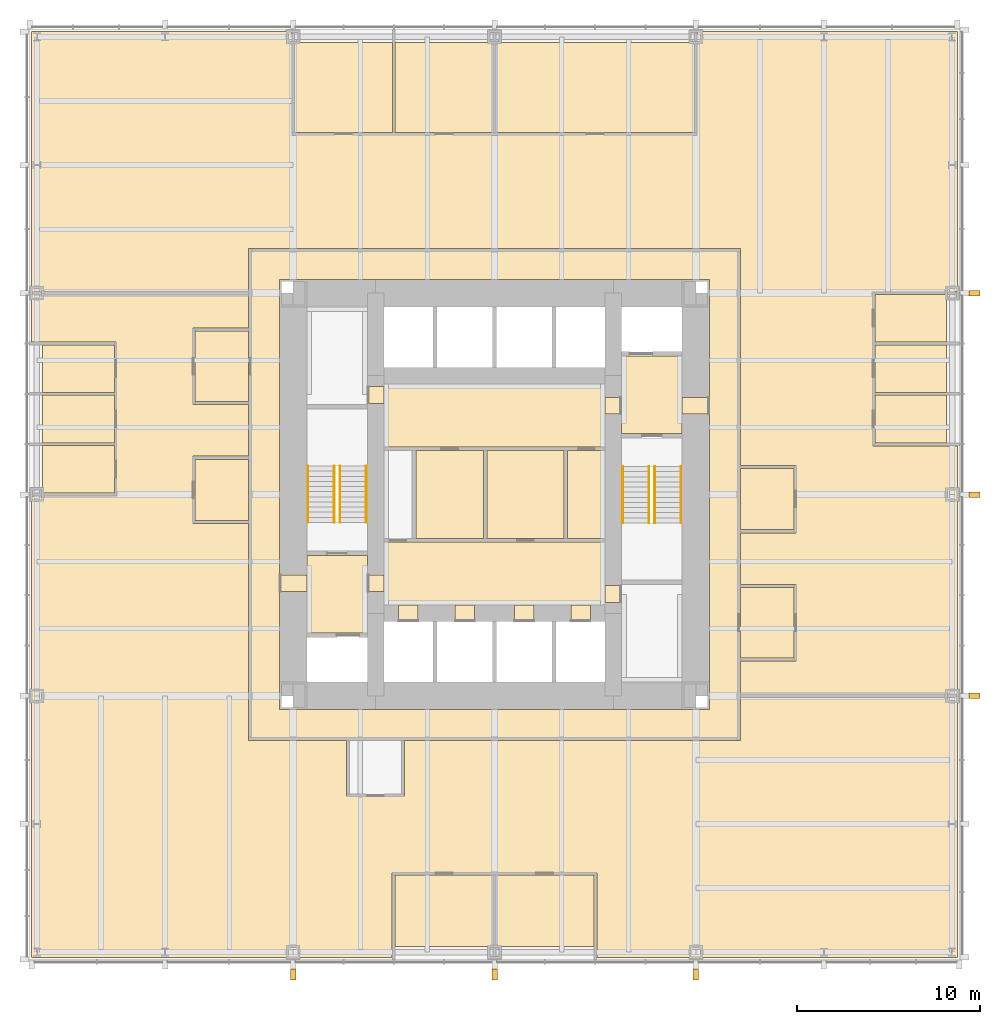
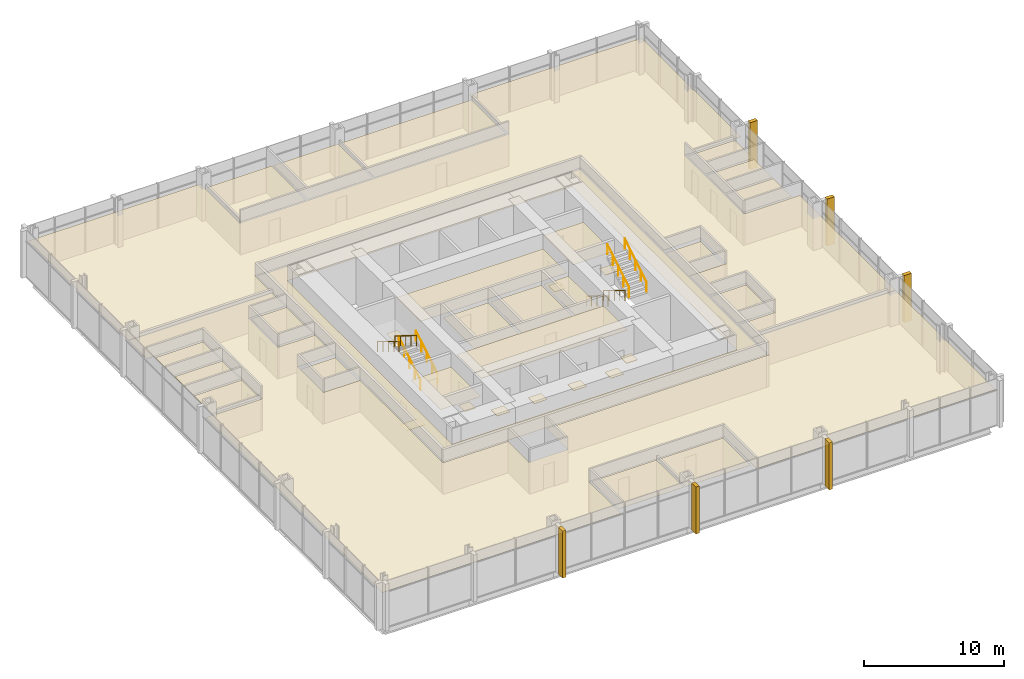
# One storey, part 12 of 12: 41 coverings, 8 railings.
"""IFC4 building model written with IfcOpenShell, lengths in metres."""

from ifc_helpers import new_model, si_unit, direction, frame, origin, origin_2d, place, context, subcontext, project, spatial, polyline, rectangle, circle, outline, extrude, material, layer, layer_set, type_object, element, save


model = new_model("IFC4")

# Units and contexts
model_context = context("Model", 3, precision=1e-05, world=origin(), true_north=direction((0.0, 1.0)))
body_context = subcontext(model_context, "Body", "Model", "MODEL_VIEW")
ifc_project = project(units=[si_unit("LENGTHUNIT", "METRE"), si_unit("AREAUNIT", "SQUARE_METRE"), si_unit("VOLUMEUNIT", "CUBIC_METRE"), si_unit("PLANEANGLEUNIT", "RADIAN"), si_unit("MASSUNIT", "GRAM", prefix="KILO")], contexts=[model_context])

# Site, building, storey
site_placement = place(None, origin())
site = spatial("IfcSite", under=ifc_project, at=site_placement, CompositionType="ELEMENT")
building_placement = place(site_placement, origin())
building = spatial("IfcBuilding", under=site, at=building_placement, Name="Trevanion Tower", CompositionType="ELEMENT")
storey_placement = place(building_placement, frame((0.0, 0.0, 57.0)))
storey = spatial("IfcBuildingStorey", under=building, at=storey_placement, Name="L13", CompositionType="ELEMENT", Elevation=57.0)

# Coverings
ifc_material_1 = material(Name="Fibrous plaster coffers on suspended steel grid", Category="steel")
ifc_layer_1 = layer(ifc_material_1, 0.050048828125)
ifc_layer_set_1 = layer_set([ifc_layer_1], Name="CL1 coffered fibrous plaster ceiling 50")
covering_type_1 = type_object("IfcCoveringType", Name="CL1 coffered fibrous plaster ceiling 50", PredefinedType="CEILING", material=ifc_layer_set_1)
covering_1_placement = place(storey_placement, frame((0.0, 0.0, 3.0)))
element("IfcCovering", 1, at=covering_1_placement, inside=storey, type_object=covering_type_1, Name="CL1 L13-LBS", PredefinedType="CEILING", context=body_context, shape_type="SweptSolid", body=[
    extrude(outline(polyline([(6.050048828125, -6.050048828125), (6.050048828125, -2.60009765625), (-6.050048828125, -2.60009765625), (-6.050048828125, -6.050048828125), (6.050048828125, -6.050048828125)])), origin(), (0.0, 0.0, 1.0), 0.050048828125),
])
ifc_material_2 = material(Name="Mineral fibre acoustic tiles in exposed grid", Category="mineral fibre")
ifc_layer_2 = layer(ifc_material_2, 0.02001953125)
ifc_layer_set_2 = layer_set([ifc_layer_2], Name="CL2 acoustic tile ceiling 20")
covering_type_2 = type_object("IfcCoveringType", Name="CL2 acoustic tile ceiling 20", PredefinedType="CEILING", material=ifc_layer_set_2)
covering_2_placement = place(storey_placement, frame((0.0, 0.0, 2.75)))
element("IfcCovering", 2, at=covering_2_placement, inside=storey, type_object=covering_type_2, Name="CL2 L13-LBN", PredefinedType="CEILING", context=body_context, shape_type="SweptSolid", body=[
    extrude(outline(polyline([(6.050048828125, 2.60009765625), (6.050048828125, 6.050048828125), (-6.050048828125, 6.050048828125), (-6.050048828125, 2.60009765625), (6.050048828125, 2.60009765625)])), origin(), (0.0, 0.0, 1.0), 0.02001953125),
])
covering_3_placement = place(storey_placement, frame((0.0, 0.0, 2.75)))
element("IfcCovering", 3, at=covering_3_placement, inside=storey, type_object=covering_type_2, Name="CL2 L13-CO", PredefinedType="CEILING", context=body_context, shape_type="SweptSolid", body=[
    extrude(outline(polyline([(-13.35009765625, 13.35009765625), (13.35009765625, 13.35009765625), (13.35009765625, -13.35009765625), (-13.35009765625, -13.35009765625), (-13.35009765625, 13.35009765625)]), holes=[polyline([(-11.75, 11.75), (-11.75, -11.75), (11.75, -11.75), (11.75, 11.75), (-11.75, 11.75)])]), origin(), (0.0, 0.0, 1.0), 0.02001953125),
])
covering_4_placement = place(storey_placement, frame((0.0, 0.0, 2.75)))
element("IfcCovering", 4, at=covering_4_placement, inside=storey, type_object=covering_type_2, Name="CL2 L13-BR", PredefinedType="CEILING", context=body_context, shape_type="SweptSolid", body=[
    extrude(outline(polyline([(10.925048828125, 19.77490234375), (0.074951171875, 19.77490234375), (0.074951171875, 24.699951171875), (10.925048828125, 24.699951171875), (10.925048828125, 19.77490234375)])), origin(), (0.0, 0.0, 1.0), 0.02001953125),
])
covering_5_placement = place(storey_placement, frame((0.0, 0.0, 2.75)))
element("IfcCovering", 5, at=covering_5_placement, inside=storey, type_object=covering_type_2, Name="CL2 L13-MR", PredefinedType="CEILING", context=body_context, shape_type="SweptSolid", body=[
    extrude(outline(polyline([(-0.074951171875, 19.77490234375), (-5.425048828125, 19.77490234375), (-5.425048828125, 24.699951171875), (-0.074951171875, 24.699951171875), (-0.074951171875, 19.77490234375)])), origin(), (0.0, 0.0, 1.0), 0.02001953125),
])
covering_6_placement = place(storey_placement, frame((0.0, 0.0, 2.75)))
element("IfcCovering", 6, at=covering_6_placement, inside=storey, type_object=covering_type_2, Name="CL2 L13-MR2", PredefinedType="CEILING", context=body_context, shape_type="SweptSolid", body=[
    extrude(outline(polyline([(-5.574951171875, 19.77490234375), (-10.925048828125, 19.77490234375), (-10.925048828125, 24.699951171875), (-5.574951171875, 24.699951171875), (-5.574951171875, 19.77490234375)])), origin(), (0.0, 0.0, 1.0), 0.02001953125),
])
covering_7_placement = place(storey_placement, frame((0.0, 0.0, 2.75)))
element("IfcCovering", 7, at=covering_7_placement, inside=storey, type_object=covering_type_2, Name="CL2 L13-MR3", PredefinedType="CEILING", context=body_context, shape_type="SweptSolid", body=[
    extrude(outline(polyline([(-5.425048828125, -20.77490234375), (-0.074951171875, -20.77490234375), (-0.074951171875, -24.699951171875), (-5.425048828125, -24.699951171875), (-5.425048828125, -20.77490234375)])), origin(), (0.0, 0.0, 1.0), 0.02001953125),
])
covering_8_placement = place(storey_placement, frame((0.0, 0.0, 2.75)))
element("IfcCovering", 8, at=covering_8_placement, inside=storey, type_object=covering_type_2, Name="CL2 L13-MR4", PredefinedType="CEILING", context=body_context, shape_type="SweptSolid", body=[
    extrude(outline(polyline([(0.074951171875, -20.77490234375), (5.425048828125, -20.77490234375), (5.425048828125, -24.699951171875), (0.074951171875, -24.699951171875), (0.074951171875, -20.77490234375)])), origin(), (0.0, 0.0, 1.0), 0.02001953125),
])
covering_9_placement = place(storey_placement, frame((0.0, 0.0, 2.75)))
element("IfcCovering", 9, at=covering_9_placement, inside=storey, type_object=covering_type_2, Name="CL2 L13-OF", PredefinedType="CEILING", context=body_context, shape_type="SweptSolid", body=[
    extrude(outline(polyline([(20.77490234375, 2.824951171875), (20.77490234375, 5.425048828125), (24.699951171875, 5.425048828125), (24.699951171875, 2.824951171875), (20.77490234375, 2.824951171875)])), origin(), (0.0, 0.0, 1.0), 0.02001953125),
])
covering_10_placement = place(storey_placement, frame((0.0, 0.0, 2.75)))
element("IfcCovering", 10, at=covering_10_placement, inside=storey, type_object=covering_type_2, Name="CL2 L13-OF2", PredefinedType="CEILING", context=body_context, shape_type="SweptSolid", body=[
    extrude(outline(polyline([(20.77490234375, 5.574951171875), (20.77490234375, 8.175048828125), (24.699951171875, 8.175048828125), (24.699951171875, 5.574951171875), (20.77490234375, 5.574951171875)])), origin(), (0.0, 0.0, 1.0), 0.02001953125),
])
covering_11_placement = place(storey_placement, frame((0.0, 0.0, 2.75)))
element("IfcCovering", 11, at=covering_11_placement, inside=storey, type_object=covering_type_2, Name="CL2 L13-OF3", PredefinedType="CEILING", context=body_context, shape_type="SweptSolid", body=[
    extrude(outline(polyline([(20.77490234375, 8.324951171875), (20.77490234375, 10.925048828125), (24.699951171875, 10.925048828125), (24.699951171875, 8.324951171875), (20.77490234375, 8.324951171875)])), origin(), (0.0, 0.0, 1.0), 0.02001953125),
])
covering_12_placement = place(storey_placement, frame((0.0, 0.0, 2.75)))
element("IfcCovering", 12, at=covering_12_placement, inside=storey, type_object=covering_type_2, Name="CL2 L13-OF4", PredefinedType="CEILING", context=body_context, shape_type="SweptSolid", body=[
    extrude(outline(polyline([(-20.77490234375, 8.175048828125), (-20.77490234375, 5.574951171875), (-24.699951171875, 5.574951171875), (-24.699951171875, 8.175048828125), (-20.77490234375, 8.175048828125)])), origin(), (0.0, 0.0, 1.0), 0.02001953125),
])
covering_13_placement = place(storey_placement, frame((0.0, 0.0, 2.75)))
element("IfcCovering", 13, at=covering_13_placement, inside=storey, type_object=covering_type_2, Name="CL2 L13-OF5", PredefinedType="CEILING", context=body_context, shape_type="SweptSolid", body=[
    extrude(outline(polyline([(-20.77490234375, 5.425048828125), (-20.77490234375, 2.824951171875), (-24.699951171875, 2.824951171875), (-24.699951171875, 5.425048828125), (-20.77490234375, 5.425048828125)])), origin(), (0.0, 0.0, 1.0), 0.02001953125),
])
covering_14_placement = place(storey_placement, frame((0.0, 0.0, 2.75)))
element("IfcCovering", 14, at=covering_14_placement, inside=storey, type_object=covering_type_2, Name="CL2 L13-OF6", PredefinedType="CEILING", context=body_context, shape_type="SweptSolid", body=[
    extrude(outline(polyline([(-20.77490234375, 2.675048828125), (-20.77490234375, 0.074951171875), (-24.699951171875, 0.074951171875), (-24.699951171875, 2.675048828125), (-20.77490234375, 2.675048828125)])), origin(), (0.0, 0.0, 1.0), 0.02001953125),
])
covering_15_placement = place(storey_placement, frame((0.0, 0.0, 2.75)))
element("IfcCovering", 15, at=covering_15_placement, inside=storey, type_object=covering_type_2, Name="CL2 L13-RC", PredefinedType="CEILING", context=body_context, shape_type="SweptSolid", body=[
    extrude(outline(polyline([(13.449951171875, -8.925048828125), (13.449951171875, -5.074951171875), (16.375, -5.074951171875), (16.375, -8.925048828125), (13.449951171875, -8.925048828125)])), origin(), (0.0, 0.0, 1.0), 0.02001953125),
])
covering_16_placement = place(storey_placement, frame((0.0, 0.0, 2.75)))
element("IfcCovering", 16, at=covering_16_placement, inside=storey, type_object=covering_type_2, Name="CL2 L13-RC2", PredefinedType="CEILING", context=body_context, shape_type="SweptSolid", body=[
    extrude(outline(polyline([(-13.449951171875, 8.925048828125), (-13.449951171875, 5.074951171875), (-16.375, 5.074951171875), (-16.375, 8.925048828125), (-13.449951171875, 8.925048828125)])), origin(), (0.0, 0.0, 1.0), 0.02001953125),
])
covering_17_placement = place(storey_placement, frame((0.0, 0.0, 2.75)))
element("IfcCovering", 17, at=covering_17_placement, inside=storey, type_object=covering_type_2, Name="CL2 L13-OP", PredefinedType="CEILING", context=body_context, shape_type="SweptSolid", body=[
    extrude(outline(polyline([(13.449951171875, 13.449951171875), (-13.449951171875, 13.449951171875), (-13.449951171875, 11.0), (-25.300048828125, 11.0), (-25.300048828125, 25.300048828125), (-11.094970703125, 25.300048828125), (-11.094970703125, 19.679931640625), (11.094970703125, 19.679931640625), (11.094970703125, 25.300048828125), (25.300048828125, 25.300048828125), (25.300048828125, 11.094970703125), (20.679931640625, 11.094970703125), (20.679931640625, 2.655029296875), (25.300048828125, 2.655029296875), (25.300048828125, -11.0), (13.449951171875, -11.0), (13.449951171875, -9.094970703125), (16.469970703125, -9.094970703125), (16.469970703125, -4.905029296875), (13.449951171875, -4.905029296875), (13.449951171875, -2.094970703125), (16.469970703125, -2.094970703125), (16.469970703125, 1.594970703125), (13.449951171875, 1.594970703125), (13.449951171875, 13.449951171875)])), origin(), (0.0, 0.0, 1.0), 0.02001953125),
])
covering_18_placement = place(storey_placement, frame((0.0, 0.0, 2.75)))
element("IfcCovering", 18, at=covering_18_placement, inside=storey, type_object=covering_type_2, Name="CL2 L13-OP2", PredefinedType="CEILING", context=body_context, shape_type="SweptSolid", body=[
    extrude(outline(polyline([(13.449951171875, -11.0), (25.300048828125, -11.0), (25.300048828125, -25.300048828125), (5.594970703125, -25.300048828125), (5.594970703125, -20.679931640625), (-5.594970703125, -20.679931640625), (-5.594970703125, -25.300048828125), (-25.300048828125, -25.300048828125), (-25.300048828125, -0.094970703125), (-20.679931640625, -0.094970703125), (-20.679931640625, 8.344970703125), (-25.300048828125, 8.344970703125), (-25.300048828125, 11.0), (-13.449951171875, 11.0), (-13.449951171875, 9.094970703125), (-16.469970703125, 9.094970703125), (-16.469970703125, 4.905029296875), (-13.449951171875, 4.905029296875), (-13.449951171875, 2.094970703125), (-16.469970703125, 2.094970703125), (-16.469970703125, -1.594970703125), (-13.449951171875, -1.594970703125), (-13.449951171875, -13.449951171875), (-8.094970703125, -13.449951171875), (-8.094970703125, -16.469970703125), (-4.905029296875, -16.469970703125), (-4.905029296875, -13.449951171875), (13.449951171875, -13.449951171875), (13.449951171875, -11.0)])), origin(), (0.0, 0.0, 1.0), 0.02001953125),
])
ifc_material_3 = material(Name="Gypsum plasterboard on suspended metal furring", Category="gypsum")
ifc_layer_3 = layer(ifc_material_3, 0.012939453125)
ifc_layer_set_3 = layer_set([ifc_layer_3], Name="CL3 plasterboard ceiling 13")
covering_type_3 = type_object("IfcCoveringType", Name="CL3 plasterboard ceiling 13", PredefinedType="CEILING", material=ifc_layer_set_3)
covering_19_placement = place(storey_placement, frame((0.0, 0.0, 2.699951171875)))
element("IfcCovering", 19, at=covering_19_placement, inside=storey, type_object=covering_type_3, Name="CL3 L13-FV1", PredefinedType="CEILING", context=body_context, shape_type="SweptSolid", body=[
    extrude(outline(polyline([(10.25, 3.324951171875), (10.25, 7.574951171875), (6.949951171875, 7.574951171875), (6.949951171875, 3.324951171875), (10.25, 3.324951171875)])), origin(), (0.0, 0.0, 1.0), 0.012939453125),
])
covering_20_placement = place(storey_placement, frame((0.0, 0.0, 2.699951171875)))
element("IfcCovering", 20, at=covering_20_placement, inside=storey, type_object=covering_type_3, Name="CL3 L13-FV2", PredefinedType="CEILING", context=body_context, shape_type="SweptSolid", body=[
    extrude(outline(polyline([(-10.25, -3.324951171875), (-10.25, -7.574951171875), (-6.949951171875, -7.574951171875), (-6.949951171875, -3.324951171875), (-10.25, -3.324951171875)])), origin(), (0.0, 0.0, 1.0), 0.012939453125),
])
ifc_material_4 = material(Name="Moisture-resistant gypsum board on suspended metal furring", Category="gypsum")
ifc_layer_4 = layer(ifc_material_4, 0.01611328125)
ifc_layer_set_4 = layer_set([ifc_layer_4], Name="CL4 moisture-resistant board ceiling 16")
covering_type_4 = type_object("IfcCoveringType", Name="CL4 moisture-resistant board ceiling 16", PredefinedType="CEILING", material=ifc_layer_set_4)
covering_21_placement = place(storey_placement, frame((0.0, 0.0, 2.60009765625)))
element("IfcCovering", 21, at=covering_21_placement, inside=storey, type_object=covering_type_4, Name="CL4 L13-WCM", PredefinedType="CEILING", context=body_context, shape_type="SweptSolid", body=[
    extrude(outline(polyline([(-0.60009765625, -2.39990234375), (-0.60009765625, 2.39990234375), (-4.300048828125, 2.39990234375), (-4.300048828125, -2.39990234375), (-0.60009765625, -2.39990234375)])), origin(), (0.0, 0.0, 1.0), 0.015869140625),
])
covering_22_placement = place(storey_placement, frame((0.0, 0.0, 2.60009765625)))
element("IfcCovering", 22, at=covering_22_placement, inside=storey, type_object=covering_type_4, Name="CL4 L13-WCF", PredefinedType="CEILING", context=body_context, shape_type="SweptSolid", body=[
    extrude(outline(polyline([(3.800048828125, -2.39990234375), (3.800048828125, 2.39990234375), (-0.39990234375, 2.39990234375), (-0.39990234375, -2.39990234375), (3.800048828125, -2.39990234375)])), origin(), (0.0, 0.0, 1.0), 0.015869140625),
])
covering_23_placement = place(storey_placement, frame((0.0, 0.0, 2.60009765625)))
element("IfcCovering", 23, at=covering_23_placement, inside=storey, type_object=covering_type_4, Name="CL4 L13-WCA", PredefinedType="CEILING", context=body_context, shape_type="SweptSolid", body=[
    extrude(outline(polyline([(6.050048828125, -2.39990234375), (6.050048828125, 2.39990234375), (4.0, 2.39990234375), (4.0, -2.39990234375), (6.050048828125, -2.39990234375)])), origin(), (0.0, 0.0, 1.0), 0.015869140625),
])
covering_24_placement = place(storey_placement, frame((0.0, 0.0, 2.60009765625)))
element("IfcCovering", 24, at=covering_24_placement, inside=storey, type_object=covering_type_4, Name="CL4 L13-PA", PredefinedType="CEILING", context=body_context, shape_type="SweptSolid", body=[
    extrude(outline(polyline([(13.449951171875, -1.925048828125), (13.449951171875, 1.425048828125), (16.375, 1.425048828125), (16.375, -1.925048828125), (13.449951171875, -1.925048828125)])), origin(), (0.0, 0.0, 1.0), 0.015869140625),
])
covering_25_placement = place(storey_placement, frame((0.0, 0.0, 2.60009765625)))
element("IfcCovering", 25, at=covering_25_placement, inside=storey, type_object=covering_type_4, Name="CL4 L13-PA2", PredefinedType="CEILING", context=body_context, shape_type="SweptSolid", body=[
    extrude(outline(polyline([(-13.449951171875, 1.925048828125), (-13.449951171875, -1.425048828125), (-16.375, -1.425048828125), (-16.375, 1.925048828125), (-13.449951171875, 1.925048828125)])), origin(), (0.0, 0.0, 1.0), 0.015869140625),
])
ifc_material_5 = material(Name="Cast bronze fin on aluminium carrier", Category="aluminium")
covering_type_5 = type_object("IfcCoveringType", Name="F1 bronze fin", PredefinedType="CLADDING", material=ifc_material_5)
for number, where, z_axis, x_axis, name in (
    (26, (26.22509765625, -11.0, -0.18994140625), (0.0, 0.0, 1.0), (0.0, 1.0, 0.0), "F1 L13 east -11.0"),
    (27, (26.22509765625, 0.0, -0.18994140625), (0.0, 0.0, 1.0), (0.0, 1.0, 0.0), "F1 L13 east +0.0"),
    (28, (26.22509765625, 11.0, -0.18994140625), (0.0, 0.0, 1.0), (0.0, 1.0, 0.0), "F1 L13 east +11.0"),
    (29, (-11.0, -26.22509765625, -0.18994140625), (0.0, 0.0, 1.0), (1.0, 0.0, 0.0), "F1 L13 south -11.0"),
    (30, (0.0, -26.22509765625, -0.18994140625), (0.0, 0.0, 1.0), (1.0, 0.0, 0.0), "F1 L13 south +0.0"),
    (31, (11.0, -26.22509765625, -0.18994140625), (0.0, 0.0, 1.0), (1.0, 0.0, 0.0), "F1 L13 south +11.0"),
):
    element("IfcCovering", number, at=place(storey_placement, frame(where, z_axis=z_axis, x_axis=x_axis)), inside=storey, type_object=covering_type_5, Name=name, PredefinedType="CLADDING", context=body_context, shape_type="SweptSolid", body=[
        extrude(rectangle(XDim=0.300048828125, YDim=0.60009765625, at=origin_2d()), origin(), (0.0, 0.0, 1.0), 4.10009765625),
    ])
ifc_material_6 = material(Name="Terrazzo, brass divider strips", Category="stone")
ifc_layer_5 = layer(ifc_material_6, 0.02001953125)
ifc_layer_set_5 = layer_set([ifc_layer_5], Name="FF1 terrazzo flooring")
covering_type_6 = type_object("IfcCoveringType", Name="FF1 terrazzo flooring", PredefinedType="FLOORING", material=ifc_layer_set_5)
covering_26_placement = place(storey_placement, origin())
element("IfcCovering", 32, at=covering_26_placement, inside=storey, type_object=covering_type_6, Name="FF1 threshold 13-001", PredefinedType="FLOORING", context=body_context, shape_type="SweptSolid", body=[
    extrude(outline(polyline([(11.75, 4.392578125), (11.75, 5.3076171875), (10.25, 5.3076171875), (10.25, 4.392578125), (11.75, 4.392578125)])), origin(), (0.0, 0.0, 1.0), 0.02001953125),
])
covering_27_placement = place(storey_placement, origin())
element("IfcCovering", 33, at=covering_27_placement, inside=storey, type_object=covering_type_6, Name="FF1 threshold 13-002", PredefinedType="FLOORING", context=body_context, shape_type="SweptSolid", body=[
    extrude(outline(polyline([(-11.75, -4.392578125), (-11.75, -5.3076171875), (-10.25, -5.3076171875), (-10.25, -4.392578125), (-11.75, -4.392578125)])), origin(), (0.0, 0.0, 1.0), 0.02001953125),
])
covering_28_placement = place(storey_placement, origin())
element("IfcCovering", 34, at=covering_28_placement, inside=storey, type_object=covering_type_6, Name="FF1 threshold 13-003", PredefinedType="FLOORING", context=body_context, shape_type="SweptSolid", body=[
    extrude(outline(polyline([(6.949951171875, 4.392578125), (6.949951171875, 5.3076171875), (6.050048828125, 5.3076171875), (6.050048828125, 4.392578125), (6.949951171875, 4.392578125)])), origin(), (0.0, 0.0, 1.0), 0.02001953125),
])
covering_29_placement = place(storey_placement, origin())
element("IfcCovering", 35, at=covering_29_placement, inside=storey, type_object=covering_type_6, Name="FF1 threshold 13-004", PredefinedType="FLOORING", context=body_context, shape_type="SweptSolid", body=[
    extrude(outline(polyline([(-6.949951171875, -4.392578125), (-6.949951171875, -5.3076171875), (-6.050048828125, -5.3076171875), (-6.050048828125, -4.392578125), (-6.949951171875, -4.392578125)])), origin(), (0.0, 0.0, 1.0), 0.02001953125),
])
covering_30_placement = place(storey_placement, origin())
element("IfcCovering", 36, at=covering_30_placement, inside=storey, type_object=covering_type_6, Name="FF1 threshold 13-009", PredefinedType="FLOORING", context=body_context, shape_type="SweptSolid", body=[
    extrude(outline(polyline([(6.949951171875, -5.889892578125), (6.949951171875, -4.97509765625), (6.050048828125, -4.97509765625), (6.050048828125, -5.889892578125), (6.949951171875, -5.889892578125)])), origin(), (0.0, 0.0, 1.0), 0.02001953125),
])
covering_31_placement = place(storey_placement, origin())
element("IfcCovering", 37, at=covering_31_placement, inside=storey, type_object=covering_type_6, Name="FF1 threshold 13-010", PredefinedType="FLOORING", context=body_context, shape_type="SweptSolid", body=[
    extrude(outline(polyline([(-6.949951171875, 5.889892578125), (-6.949951171875, 4.97509765625), (-6.050048828125, 4.97509765625), (-6.050048828125, 5.889892578125), (-6.949951171875, 5.889892578125)])), origin(), (0.0, 0.0, 1.0), 0.02001953125),
])
covering_32_placement = place(storey_placement, origin())
element("IfcCovering", 38, at=covering_32_placement, inside=storey, type_object=covering_type_6, Name="FF1 threshold 13-011", PredefinedType="FLOORING", context=body_context, shape_type="SweptSolid", body=[
    extrude(outline(polyline([(-5.2333984375, -6.949951171875), (-4.16650390625, -6.949951171875), (-4.16650390625, -6.050048828125), (-5.2333984375, -6.050048828125), (-5.2333984375, -6.949951171875)])), origin(), (0.0, 0.0, 1.0), 0.02001953125),
])
covering_33_placement = place(storey_placement, origin())
element("IfcCovering", 39, at=covering_33_placement, inside=storey, type_object=covering_type_6, Name="FF1 threshold 13-012", PredefinedType="FLOORING", context=body_context, shape_type="SweptSolid", body=[
    extrude(outline(polyline([(-2.158447265625, -6.949951171875), (-1.091552734375, -6.949951171875), (-1.091552734375, -6.050048828125), (-2.158447265625, -6.050048828125), (-2.158447265625, -6.949951171875)])), origin(), (0.0, 0.0, 1.0), 0.02001953125),
])
covering_34_placement = place(storey_placement, origin())
element("IfcCovering", 40, at=covering_34_placement, inside=storey, type_object=covering_type_6, Name="FF1 threshold 13-013", PredefinedType="FLOORING", context=body_context, shape_type="SweptSolid", body=[
    extrude(outline(polyline([(1.091552734375, -6.949951171875), (2.158447265625, -6.949951171875), (2.158447265625, -6.050048828125), (1.091552734375, -6.050048828125), (1.091552734375, -6.949951171875)])), origin(), (0.0, 0.0, 1.0), 0.02001953125),
])
covering_35_placement = place(storey_placement, origin())
element("IfcCovering", 41, at=covering_35_placement, inside=storey, type_object=covering_type_6, Name="FF1 threshold 13-014", PredefinedType="FLOORING", context=body_context, shape_type="SweptSolid", body=[
    extrude(outline(polyline([(4.16650390625, -6.949951171875), (5.2333984375, -6.949951171875), (5.2333984375, -6.050048828125), (4.16650390625, -6.050048828125), (4.16650390625, -6.949951171875)])), origin(), (0.0, 0.0, 1.0), 0.02001953125),
])

# Railings
ifc_material_7 = material(Name="Stainless steel tube 40 mm", Category="steel")
railing_type = type_object("IfcRailingType", Name="HR1 handrail", PredefinedType="HANDRAIL", material=ifc_material_7)
for number, where, name in (
    (42, (7.010009765625, 1.52490234375, 0.1708984375), "HR1 ST1 L13 flight 1"),
    (43, (8.43994140625, 1.52490234375, 0.1708984375), "HR1 ST1 L13 flight 1"),
):
    element("IfcRailing", number, at=place(storey_placement, frame(where)), inside=storey, type_object=railing_type, Name=name, PredefinedType="HANDRAIL", context=body_context, shape_type="SweptSolid", body=[
        extrude(circle(Radius=0.02001953125, at=origin_2d()), frame((0.0, 0.0, 0.8798828125), z_axis=(0.0, -0.853647949592, 0.520850437417), x_axis=(1.0, 0.0, 0.0)), (0.0, 0.0, 1.0), 3.60791015625),
        extrude(circle(Radius=0.01513671875, at=origin_2d()), origin(), (0.0, 0.0, 1.0), 0.85986328125),
        extrude(circle(Radius=0.01513671875, at=origin_2d()), frame((0.0, -0.77001953125, 0.4697265625)), (0.0, 0.0, 1.0), 0.85986328125),
        extrude(circle(Radius=0.01513671875, at=origin_2d()), frame((0.0, -1.5400390625, 0.939453125)), (0.0, 0.0, 1.0), 0.85986328125),
        extrude(circle(Radius=0.01513671875, at=origin_2d()), frame((0.0, -2.309814453125, 1.409423828125)), (0.0, 0.0, 1.0), 0.85986328125),
        extrude(circle(Radius=0.01513671875, at=origin_2d()), frame((0.0, -3.079833984375, 1.879150390625)), (0.0, 0.0, 1.0), 0.85986328125),
    ])
for number, where, name in (
    (44, (8.760009765625, -1.554931640625, 2.220703125), "HR1 ST1 L13 flight 2"),
    (45, (10.18994140625, -1.554931640625, 2.220703125), "HR1 ST1 L13 flight 2"),
):
    element("IfcRailing", number, at=place(storey_placement, frame(where)), inside=storey, type_object=railing_type, Name=name, PredefinedType="HANDRAIL", context=body_context, shape_type="SweptSolid", body=[
        extrude(circle(Radius=0.02001953125, at=origin_2d()), frame((0.0, 0.0, 0.8798828125), z_axis=(0.0, 0.853617861917, 0.520899746416), x_axis=(-1.0, 0.0, 0.0)), (0.0, 0.0, 1.0), 3.60791015625),
        extrude(circle(Radius=0.01513671875, at=origin_2d()), origin(), (0.0, 0.0, 1.0), 0.85986328125),
        extrude(circle(Radius=0.01513671875, at=origin_2d()), frame((0.0, 0.77001953125, 0.4697265625)), (0.0, 0.0, 1.0), 0.85986328125),
        extrude(circle(Radius=0.01513671875, at=origin_2d()), frame((0.0, 1.5400390625, 0.939697265625)), (0.0, 0.0, 1.0), 0.85986328125),
        extrude(circle(Radius=0.01513671875, at=origin_2d()), frame((0.0, 2.309814453125, 1.40966796875)), (0.0, 0.0, 1.0), 0.85986328125),
        extrude(circle(Radius=0.01513671875, at=origin_2d()), frame((0.0, 3.079833984375, 1.87939453125)), (0.0, 0.0, 1.0), 0.85986328125),
    ])
for number, where, name in (
    (46, (-7.010009765625, -1.52490234375, 0.1708984375), "HR1 ST2 L13 flight 1"),
    (47, (-8.43994140625, -1.52490234375, 0.1708984375), "HR1 ST2 L13 flight 1"),
):
    element("IfcRailing", number, at=place(storey_placement, frame(where)), inside=storey, type_object=railing_type, Name=name, PredefinedType="HANDRAIL", context=body_context, shape_type="SweptSolid", body=[
        extrude(circle(Radius=0.02001953125, at=origin_2d()), frame((0.0, 0.0, 0.8798828125), z_axis=(0.0, 0.853647949592, 0.520850437417), x_axis=(-1.0, 0.0, 0.0)), (0.0, 0.0, 1.0), 3.60791015625),
        extrude(circle(Radius=0.01513671875, at=origin_2d()), origin(), (0.0, 0.0, 1.0), 0.85986328125),
        extrude(circle(Radius=0.01513671875, at=origin_2d()), frame((0.0, 0.77001953125, 0.4697265625)), (0.0, 0.0, 1.0), 0.85986328125),
        extrude(circle(Radius=0.01513671875, at=origin_2d()), frame((0.0, 1.5400390625, 0.939453125)), (0.0, 0.0, 1.0), 0.85986328125),
        extrude(circle(Radius=0.01513671875, at=origin_2d()), frame((0.0, 2.309814453125, 1.409423828125)), (0.0, 0.0, 1.0), 0.85986328125),
        extrude(circle(Radius=0.01513671875, at=origin_2d()), frame((0.0, 3.079833984375, 1.879150390625)), (0.0, 0.0, 1.0), 0.85986328125),
    ])
for number, where, name in (
    (48, (-8.760009765625, 1.554931640625, 2.220703125), "HR1 ST2 L13 flight 2"),
    (49, (-10.18994140625, 1.554931640625, 2.220703125), "HR1 ST2 L13 flight 2"),
):
    element("IfcRailing", number, at=place(storey_placement, frame(where)), inside=storey, type_object=railing_type, Name=name, PredefinedType="HANDRAIL", context=body_context, shape_type="SweptSolid", body=[
        extrude(circle(Radius=0.02001953125, at=origin_2d()), frame((0.0, 0.0, 0.8798828125), z_axis=(0.0, -0.853617861917, 0.520899746416), x_axis=(1.0, 0.0, 0.0)), (0.0, 0.0, 1.0), 3.60791015625),
        extrude(circle(Radius=0.01513671875, at=origin_2d()), origin(), (0.0, 0.0, 1.0), 0.85986328125),
        extrude(circle(Radius=0.01513671875, at=origin_2d()), frame((0.0, -0.77001953125, 0.4697265625)), (0.0, 0.0, 1.0), 0.85986328125),
        extrude(circle(Radius=0.01513671875, at=origin_2d()), frame((0.0, -1.5400390625, 0.939697265625)), (0.0, 0.0, 1.0), 0.85986328125),
        extrude(circle(Radius=0.01513671875, at=origin_2d()), frame((0.0, -2.309814453125, 1.40966796875)), (0.0, 0.0, 1.0), 0.85986328125),
        extrude(circle(Radius=0.01513671875, at=origin_2d()), frame((0.0, -3.079833984375, 1.87939453125)), (0.0, 0.0, 1.0), 0.85986328125),
    ])

save(model, "model.ifc")
